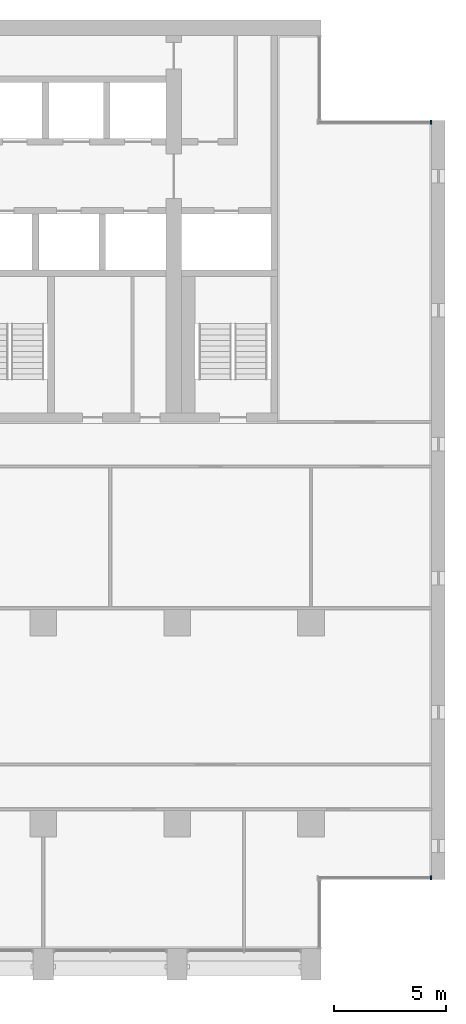
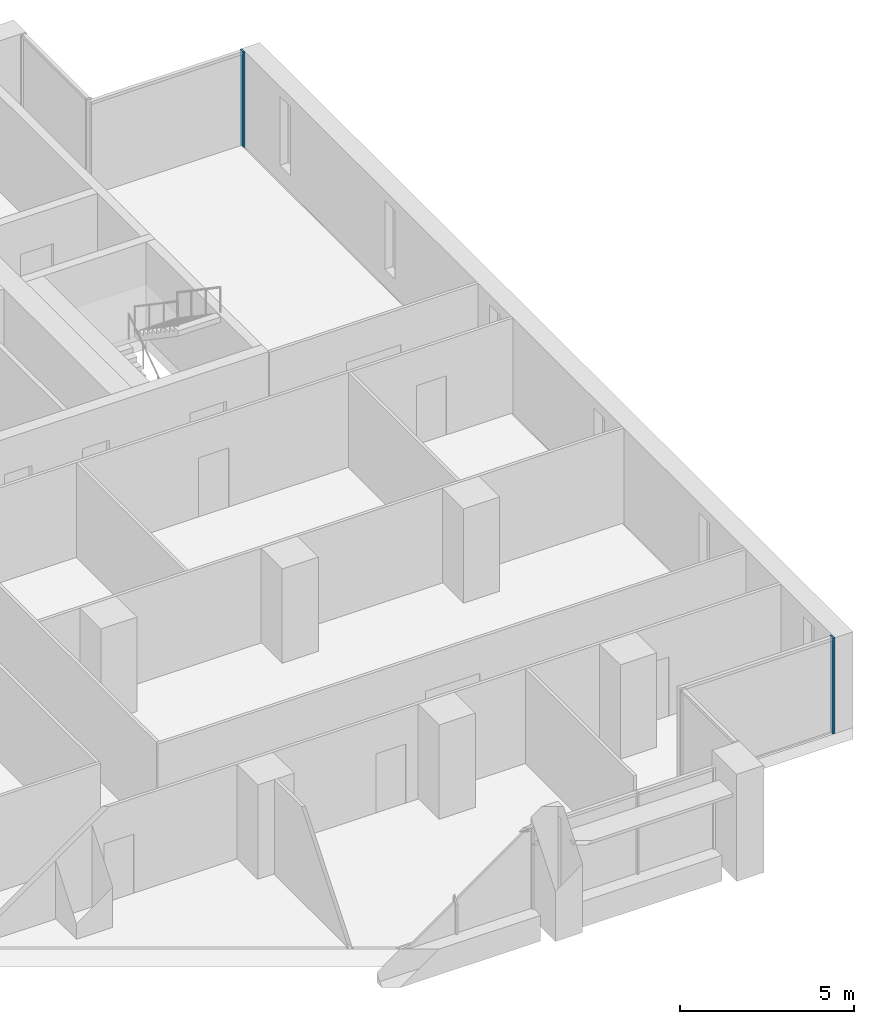
# One storey, part 6 of 17: 2 members, 2 elements without a shape of their own.
"""IFC4 building model written with IfcOpenShell, lengths in metres."""

import ifcopenshell
import ifcopenshell.guid

model = None  # the IFC model being written
_history = None  # IfcOwnerHistory: only IFC2X3 demands one
_inside = {}  # id of a spatial element -> (the spatial element, [elements in it])
_under = {}  # id of a project, library or spatial element -> (it, [spatial elements below it])
_declared = {}  # id of a project -> (the project, [libraries it declares])
_typed = {}  # id of a type object -> (the type object, [elements of that type])
_made_of = {}  # id of a material, layer set ... -> (it, [elements and type objects made of it])


def new_model(schema):
    """Start an empty IFC model of exactly this schema.

    Asked for "IFC4X3", IfcOpenShell would pick the latest addendum, in which some entities
    have other attributes; the version numbers below select the first issue.
    IFC2X3 requires an IfcOwnerHistory on every rooted entity: one is made here for all.
    """
    global model, _history
    if schema == "IFC4X3":
        model = ifcopenshell.file(schema_version=(4, 3, 0, 0))
    else:
        model = ifcopenshell.file(schema=schema)
    _inside.clear()
    _under.clear()
    _declared.clear()
    _typed.clear()
    _made_of.clear()
    _history = None
    if model.schema == "IFC2X3":
        org = make("IfcOrganization", Name="unknown")
        user = make(
            "IfcPersonAndOrganization",
            ThePerson=make("IfcPerson", FamilyName="unknown"),
            TheOrganization=org,
        )
        app = make(
            "IfcApplication",
            ApplicationDeveloper=org,
            Version="unknown",
            ApplicationFullName="unknown",
            ApplicationIdentifier="unknown",
        )
        _history = make(
            "IfcOwnerHistory",
            OwningUser=user,
            OwningApplication=app,
            ChangeAction="ADDED",
            CreationDate=0,
        )
    return model


def make(cls, **values):
    """One entity of the class cls with the attributes given. An attribute that is None is left unset."""
    return model.create_entity(
        cls, **{name: value for name, value in values.items() if value is not None}
    )


def rooted(cls, **values):
    """An entity with a GlobalId (a new one), such as an element, a storey or a relation."""
    return make(cls, GlobalId=ifcopenshell.guid.new(), OwnerHistory=_history, **values)


def si_unit(unit_type, name, prefix=None):
    """IfcSIUnit, for example si_unit("LENGTHUNIT", "METRE", prefix="MILLI")."""
    return make("IfcSIUnit", UnitType=unit_type, Prefix=prefix, Name=name)


def assignment(units):
    """IfcUnitAssignment: the units of a project."""
    return None if units is None else make("IfcUnitAssignment", Units=units)


def point(xyz):
    """IfcCartesianPoint."""
    return None if xyz is None else make("IfcCartesianPoint", Coordinates=xyz)


def direction(xyz):
    """IfcDirection."""
    return None if xyz is None else make("IfcDirection", DirectionRatios=xyz)


def frame(location, z_axis=None, x_axis=None):
    """IfcAxis2Placement3D, a coordinate frame: its origin and axes. An axis left out is left unset."""
    return make(
        "IfcAxis2Placement3D",
        Location=point(location),
        Axis=direction(z_axis),
        RefDirection=direction(x_axis),
    )


def frame_2d(location, x_axis=None):
    """IfcAxis2Placement2D, a coordinate frame in the plane: its origin and x axis."""
    return make(
        "IfcAxis2Placement2D", Location=point(location), RefDirection=direction(x_axis)
    )


def origin():
    """The frame at (0, 0, 0) with its axes left unset."""
    return frame((0.0, 0.0, 0.0))


def origin_2d():
    """The frame at (0, 0) in the plane with its x axis left unset."""
    return frame_2d((0.0, 0.0))


def place(relative_to, where):
    """IfcLocalPlacement: puts the frame where relative to a parent placement (None: the world)."""
    return make(
        "IfcLocalPlacement", PlacementRelTo=relative_to, RelativePlacement=where
    )


def context(
    kind, dimensions, precision=None, world=None, true_north=None, identifier=None
):
    """IfcGeometricRepresentationContext, for example the 3D "Model" context."""
    return make(
        "IfcGeometricRepresentationContext",
        ContextIdentifier=identifier,
        ContextType=kind,
        CoordinateSpaceDimension=dimensions,
        Precision=precision,
        WorldCoordinateSystem=world,
        TrueNorth=true_north,
    )


def subcontext(parent, identifier, kind, view, scale=None):
    """IfcGeometricRepresentationSubContext, for example "Body" below "Model"."""
    return make(
        "IfcGeometricRepresentationSubContext",
        ContextIdentifier=identifier,
        ContextType=kind,
        ParentContext=parent,
        TargetScale=scale,
        TargetView=view,
    )


def project(units=None, contexts=None):
    """IfcProject with its units and contexts."""
    return rooted(
        "IfcProject",
        Name="project",
        RepresentationContexts=contexts,
        UnitsInContext=assignment(units),
    )


def spatial(cls, under=None, at=None, **own):
    """A site, building, storey or space (cls), placed at a placement, below another one or the project."""
    s = rooted(cls, ObjectPlacement=at, **own)
    if under is not None:
        _under.setdefault(under.id(), (under, []))[1].append(s)
    return s


def profile(cls, at=None, kind="AREA", **sizes):
    """A parametric profile (cls). Its sizes go by their IFC names, for example OverallWidth=200.0."""
    return make(cls, ProfileType=kind, Position=at, **sizes)


def rectangle(**sizes):
    """IfcRectangleProfileDef."""
    return profile("IfcRectangleProfileDef", **sizes)


def extrude(swept, where, along, depth):
    """IfcExtrudedAreaSolid: the profile swept, set in the frame where, extruded along a direction by depth."""
    return make(
        "IfcExtrudedAreaSolid",
        SweptArea=swept,
        Position=where,
        ExtrudedDirection=direction(along),
        Depth=depth,
    )


def shape(context_of_items, identifier, shape_type, items):
    """IfcShapeRepresentation: the items that make up one representation, for example the "Body"."""
    return make(
        "IfcShapeRepresentation",
        ContextOfItems=context_of_items,
        RepresentationIdentifier=identifier,
        RepresentationType=shape_type,
        Items=items,
    )


def material(Name=None, Category=None):
    """IfcMaterial."""
    return make("IfcMaterial", Name=Name, Category=Category)


def material_profile(
    of_material, cross_section, Name=None, Category=None, Priority=None
):
    """IfcMaterialProfile: a cross section and its material."""
    return make(
        "IfcMaterialProfile",
        Name=Name,
        Material=of_material,
        Profile=cross_section,
        Priority=Priority,
        Category=Category,
    )


def profile_set(profiles, Name=None, composite=None):
    """IfcMaterialProfileSet."""
    return make(
        "IfcMaterialProfileSet",
        Name=Name,
        MaterialProfiles=profiles,
        CompositeProfile=composite,
    )


def made_of(thing, what):
    """Note that an element or type object is made of a material, layer set ...; save() writes the relation."""
    if what is not None:
        _made_of.setdefault(what.id(), (what, []))[1].append(thing)
    return thing


def type_object(cls, material=None, **own):
    """A type object (cls), such as IfcWallType, which elements share."""
    return made_of(rooted(cls, **own), material)


def element(
    cls,
    number,
    at=None,
    inside=None,
    cuts=None,
    type_object=None,
    material=None,
    context=None,
    identifier="Body",
    shape_type=None,
    held_by="IfcProductDefinitionShape",
    body=None,
    shapes=None,
    **own,
):
    """One element of the class cls, such as IfcWall. Its Tag is "e" and its number.

    at: its placement. inside: the storey or other place that contains it. cuts: it is an
    opening in that element (IfcRelVoidsElement). A single representation is given by context,
    identifier, shape_type and body (its items); several are given by shapes. held_by: the class
    of the entity that holds the representations. save() writes the other relations.
    """
    e = rooted(cls, Tag="e%d" % number, ObjectPlacement=at, **own)
    if body is not None:
        shapes = [shape(context, identifier, shape_type, body)]
    if shapes is not None:
        e.Representation = make(held_by, Representations=shapes)
    if inside is not None:
        _inside.setdefault(inside.id(), (inside, []))[1].append(e)
    if cuts is not None:
        rooted(
            "IfcRelVoidsElement", RelatingBuildingElement=cuts, RelatedOpeningElement=e
        )
    if type_object is not None:
        _typed.setdefault(type_object.id(), (type_object, []))[1].append(e)
    return made_of(e, material)


def aggregate(whole, parts):
    """IfcRelAggregates: a whole, such as a stair, and the parts it consists of."""
    return rooted("IfcRelAggregates", RelatingObject=whole, RelatedObjects=parts)


def save(model, path):
    """Write the relations noted so far, then the file.

    IfcRelAggregates (storeys below a building ...), IfcRelContainedInSpatialStructure (elements
    in a storey), IfcRelDefinesByType, IfcRelAssociatesMaterial and IfcRelDeclares: one each for
    every whole, place, type object, material and project.
    """
    for whole, parts in _under.values():
        aggregate(whole, parts)
    for where, things in _inside.values():
        rooted(
            "IfcRelContainedInSpatialStructure",
            RelatedElements=things,
            RelatingStructure=where,
        )
    for kind, things in _typed.values():
        rooted("IfcRelDefinesByType", RelatedObjects=things, RelatingType=kind)
    for what, things in _made_of.values():
        rooted("IfcRelAssociatesMaterial", RelatedObjects=things, RelatingMaterial=what)
    for by, libraries in _declared.values():
        rooted("IfcRelDeclares", RelatingContext=by, RelatedDefinitions=libraries)
    model.write(path)


model = new_model("IFC4")

# Units and contexts
model_context = context("Model", 3, precision=1e-05, world=origin(), true_north=direction((0.0, 1.0)))
body_context = subcontext(model_context, "Body", "Model", "MODEL_VIEW")
ifc_project = project(units=[si_unit("LENGTHUNIT", "METRE"), si_unit("AREAUNIT", "SQUARE_METRE"), si_unit("VOLUMEUNIT", "CUBIC_METRE"), si_unit("PLANEANGLEUNIT", "RADIAN"), si_unit("MASSUNIT", "GRAM", prefix="KILO")], contexts=[model_context])

# Site, building, storey
site_placement = place(None, origin())
site = spatial("IfcSite", under=ifc_project, at=site_placement, CompositionType="ELEMENT")
building_placement = place(site_placement, origin())
building = spatial("IfcBuilding", under=site, at=building_placement, Name="Calvaro Tower", CompositionType="ELEMENT")
storey_placement = place(building_placement, frame((0.0, 0.0, 174.25)))
storey = spatial("IfcBuildingStorey", under=building, at=storey_placement, Name="L43", CompositionType="ELEMENT", Elevation=174.25)

# Curtain wall, member
ifc_material_1 = material(Name="Anodised aluminium", Category="aluminium")
curtain_wall_type = type_object("IfcCurtainWallType", Name="Office curtain wall, upper zone", PredefinedType="NOTDEFINED", material=ifc_material_1)
curtain_wall_1_placement = place(storey_placement, origin())
curtain_wall_1 = element("IfcCurtainWall", 1, at=curtain_wall_1_placement, inside=storey, type_object=curtain_wall_type, Name="CW3 corner curtain wall", PredefinedType="NOTDEFINED")
ifc_material_2 = material(Name="Anodised aluminium", Category="aluminium")
ifc_material_profile = material_profile(ifc_material_2, rectangle(XDim=0.179931640625, YDim=0.06005859375, at=origin_2d()), Name="Mullion S3 60 x 180")
ifc_profile_set = profile_set([ifc_material_profile], Name="Anodised aluminium")
member_type = type_object("IfcMemberType", Name="Mullion S3 60 x 180", PredefinedType="MULLION", material=ifc_profile_set)
member_1_placement = place(storey_placement, frame((71.3701171875, 7.590087890625, 0.0), z_axis=(0.0, 0.0, 1.0), x_axis=(0.0, 1.0, 0.0)))
member_1 = element("IfcMember", 2, at=member_1_placement, type_object=member_type, Name="CW3 mullion 2", PredefinedType="MULLION", context=body_context, shape_type="SweptSolid", body=[
    extrude(rectangle(XDim=0.179931640625, YDim=0.06005859375, at=origin_2d()), origin(), (0.0, 0.0, 1.0), 3.35009765625),
])
aggregate(curtain_wall_1, [member_1])

curtain_wall_2_placement = place(storey_placement, origin())
curtain_wall_2 = element("IfcCurtainWall", 3, at=curtain_wall_2_placement, inside=storey, type_object=curtain_wall_type, Name="CW3 corner curtain wall", PredefinedType="NOTDEFINED")
member_2_placement = place(storey_placement, frame((71.3701171875, 41.409912109375, 0.0), z_axis=(0.0, 0.0, 1.0), x_axis=(0.0, 1.0, 0.0)))
member_2 = element("IfcMember", 4, at=member_2_placement, type_object=member_type, Name="CW3 mullion 2", PredefinedType="MULLION", context=body_context, shape_type="SweptSolid", body=[
    extrude(rectangle(XDim=0.179931640625, YDim=0.06005859375, at=origin_2d()), origin(), (0.0, 0.0, 1.0), 3.35009765625),
])
aggregate(curtain_wall_2, [member_2])

save(model, "model.ifc")
